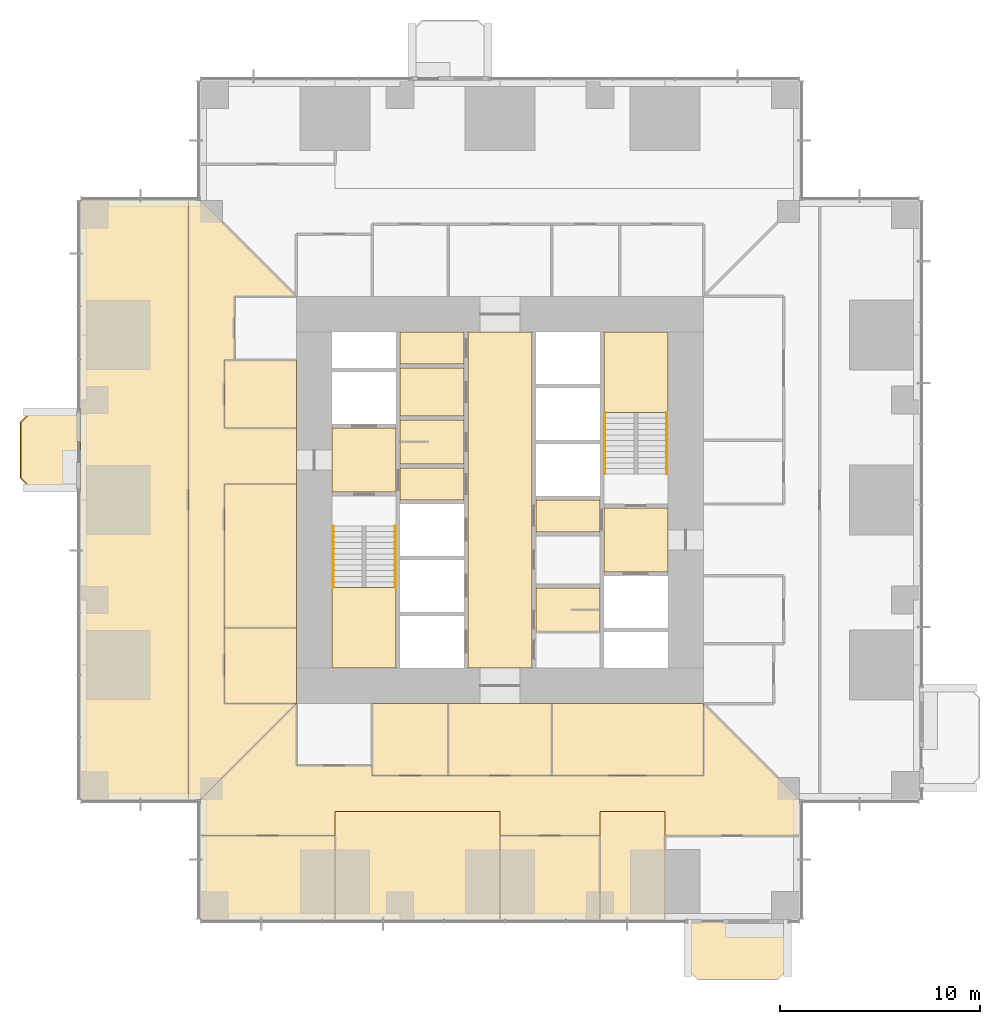
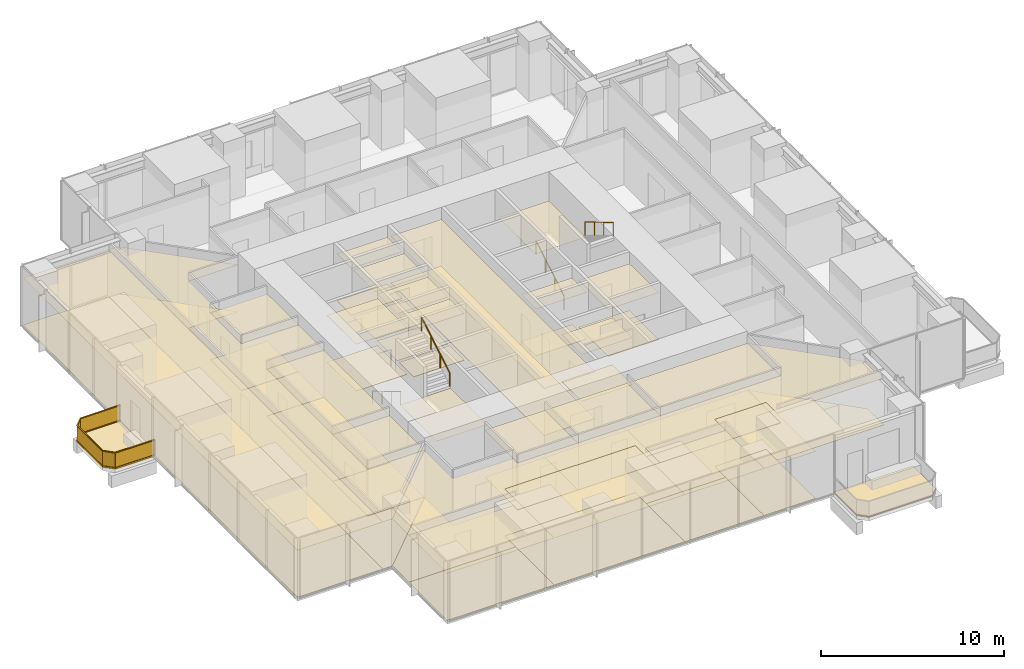
# One storey, part 13 of 15: 48 coverings, 5 railings.
"""IFC4 building model written with IfcOpenShell, lengths in metres."""

from ifc_helpers import new_model, si_unit, direction, frame, origin, origin_2d, place, context, subcontext, project, spatial, polyline, rectangle, circle, outline, extrude, material, layer, layer_set, type_object, element, save


model = new_model("IFC4")

# Units and contexts
model_context = context("Model", 3, precision=1e-05, world=origin(), true_north=direction((0.0, 1.0)))
body_context = subcontext(model_context, "Body", "Model", "MODEL_VIEW")
ifc_project = project(units=[si_unit("LENGTHUNIT", "METRE"), si_unit("AREAUNIT", "SQUARE_METRE"), si_unit("VOLUMEUNIT", "CUBIC_METRE"), si_unit("PLANEANGLEUNIT", "RADIAN"), si_unit("MASSUNIT", "GRAM", prefix="KILO")], contexts=[model_context])

# Site, building, storey
site_placement = place(None, origin())
site = spatial("IfcSite", under=ifc_project, at=site_placement, CompositionType="ELEMENT")
building_placement = place(site_placement, origin())
building = spatial("IfcBuilding", under=site, at=building_placement, Name="Svetlomir Tower", CompositionType="ELEMENT")
storey_placement = place(building_placement, frame((0.0, 0.0, 26.5)))
storey = spatial("IfcBuildingStorey", under=building, at=storey_placement, Name="L05", CompositionType="ELEMENT", Elevation=26.5)

# Railing
ifc_material_1 = material(Name="Bronze anodised aluminium and laminated glass", Category="aluminium")
railing_type_1 = type_object("IfcRailingType", Name="BALCONY GUARD GR1 1100", PredefinedType="GUARDRAIL", material=ifc_material_1)
railing_1_placement = place(storey_placement, frame((0.0, 25.39990234375, 0.0)))
element("IfcRailing", 1, at=railing_1_placement, inside=storey, type_object=railing_type_1, Name="Balcony guard W L05", PredefinedType="GUARDRAIL", context=body_context, shape_type="SweptSolid", body=[
    extrude(rectangle(XDim=0.06005859375, YDim=0.10009765625, at=origin_2d()), frame((0.0, 0.0, 0.050048828125), z_axis=(-1.0, 0.0, 0.0), x_axis=(0.0, -1.0, 0.0)), (0.0, 0.0, 1.0), 2.5),
    extrude(rectangle(XDim=0.021484375, YDim=0.960205078125, at=origin_2d()), frame((0.0, 0.0, 0.580078125), z_axis=(-1.0, 0.0, 0.0), x_axis=(0.0, -1.0, 0.0)), (0.0, 0.0, 1.0), 2.5),
    extrude(rectangle(XDim=0.06005859375, YDim=0.0400390625, at=origin_2d()), frame((0.0, 0.0, 1.080078125), z_axis=(-1.0, 0.0, 0.0), x_axis=(0.0, -1.0, 0.0)), (0.0, 0.0, 1.0), 2.5),
    extrude(rectangle(XDim=0.06005859375, YDim=0.10009765625, at=origin_2d()), frame((-2.5, 0.0, 0.050048828125), z_axis=(-0.707106781187, -0.707106781187, 0.0), x_axis=(0.707106781187, -0.707106781187, 0.0)), (0.0, 0.0, 1.0), 0.70703125),
    extrude(rectangle(XDim=0.021484375, YDim=0.960205078125, at=origin_2d()), frame((-2.5, 0.0, 0.580078125), z_axis=(-0.707106781187, -0.707106781187, 0.0), x_axis=(0.707106781187, -0.707106781187, 0.0)), (0.0, 0.0, 1.0), 0.70703125),
    extrude(rectangle(XDim=0.06005859375, YDim=0.0400390625, at=origin_2d()), frame((-2.5, 0.0, 1.080078125), z_axis=(-0.707106781187, -0.707106781187, 0.0), x_axis=(0.707106781187, -0.707106781187, 0.0)), (0.0, 0.0, 1.0), 0.70703125),
    extrude(rectangle(XDim=0.06005859375, YDim=0.10009765625, at=origin_2d()), frame((-3.0, -0.5, 0.050048828125), z_axis=(0.0, -1.0, 0.0), x_axis=(1.0, 0.0, 0.0)), (0.0, 0.0, 1.0), 2.7998046875),
    extrude(rectangle(XDim=0.021484375, YDim=0.960205078125, at=origin_2d()), frame((-3.0, -0.5, 0.580078125), z_axis=(0.0, -1.0, 0.0), x_axis=(1.0, 0.0, 0.0)), (0.0, 0.0, 1.0), 2.7998046875),
    extrude(rectangle(XDim=0.06005859375, YDim=0.0400390625, at=origin_2d()), frame((-3.0, -0.5, 1.080078125), z_axis=(0.0, -1.0, 0.0), x_axis=(1.0, 0.0, 0.0)), (0.0, 0.0, 1.0), 2.7998046875),
    extrude(rectangle(XDim=0.06005859375, YDim=0.10009765625, at=origin_2d()), frame((-3.0, -3.2998046875, 0.050048828125), z_axis=(0.707106781187, -0.707106781187, 0.0), x_axis=(0.707106781187, 0.707106781187, 0.0)), (0.0, 0.0, 1.0), 0.70703125),
    extrude(rectangle(XDim=0.021484375, YDim=0.960205078125, at=origin_2d()), frame((-3.0, -3.2998046875, 0.580078125), z_axis=(0.707106781187, -0.707106781187, 0.0), x_axis=(0.707106781187, 0.707106781187, 0.0)), (0.0, 0.0, 1.0), 0.70703125),
    extrude(rectangle(XDim=0.06005859375, YDim=0.0400390625, at=origin_2d()), frame((-3.0, -3.2998046875, 1.080078125), z_axis=(0.707106781187, -0.707106781187, 0.0), x_axis=(0.707106781187, 0.707106781187, 0.0)), (0.0, 0.0, 1.0), 0.70703125),
    extrude(rectangle(XDim=0.06005859375, YDim=0.10009765625, at=origin_2d()), frame((-2.5, -3.7998046875, 0.050048828125), z_axis=(1.0, 0.0, 0.0), x_axis=(0.0, 1.0, 0.0)), (0.0, 0.0, 1.0), 2.5),
    extrude(rectangle(XDim=0.021484375, YDim=0.960205078125, at=origin_2d()), frame((-2.5, -3.7998046875, 0.580078125), z_axis=(1.0, 0.0, 0.0), x_axis=(0.0, 1.0, 0.0)), (0.0, 0.0, 1.0), 2.5),
    extrude(rectangle(XDim=0.06005859375, YDim=0.0400390625, at=origin_2d()), frame((-2.5, -3.7998046875, 1.080078125), z_axis=(1.0, 0.0, 0.0), x_axis=(0.0, 1.0, 0.0)), (0.0, 0.0, 1.0), 2.5),
])

# Coverings
ifc_material_2 = material(Name="Granite paving slabs on pedestals", Category="masonry")
ifc_layer_1 = layer(ifc_material_2, 0.0400390625)
ifc_layer_set_1 = layer_set([ifc_layer_1], Name="Granite paving slabs on pedestals")
covering_type_1 = type_object("IfcCoveringType", Name="BALCONY PAVING 40", PredefinedType="USERDEFINED", material=ifc_layer_set_1)
covering_1_placement = place(storey_placement, origin())
element("IfcCovering", 2, at=covering_1_placement, inside=storey, type_object=covering_type_1, Name="Balcony paving S L05", ObjectType="BALCONY PAVING", PredefinedType="USERDEFINED", context=body_context, shape_type="SweptSolid", body=[
    extrude(outline(polyline([(30.39990234375, -2.5), (30.89990234375, -3.0), (34.89990234375, -3.0), (35.39990234375, -2.5), (35.39990234375, 0.0), (30.39990234375, 0.0), (30.39990234375, -2.5)])), origin(), (0.0, 0.0, 1.0), 0.0400390625),
])
covering_2_placement = place(storey_placement, origin())
element("IfcCovering", 3, at=covering_2_placement, inside=storey, type_object=covering_type_1, Name="Balcony paving W L05", ObjectType="BALCONY PAVING", PredefinedType="USERDEFINED", context=body_context, shape_type="SweptSolid", body=[
    extrude(outline(polyline([(-2.5, 21.60009765625), (0.0, 21.60009765625), (0.0, 25.39990234375), (-2.5, 25.39990234375), (-3.0, 24.89990234375), (-3.0, 22.10009765625), (-2.5, 21.60009765625)])), origin(), (0.0, 0.0, 1.0), 0.0400390625),
])
ifc_material_3 = material(Name="Carpet tile", Category="textile")
ifc_layer_2 = layer(ifc_material_3, 0.010009765625)
ifc_layer_set_2 = layer_set([ifc_layer_2], Name="Carpet tile")
covering_type_2 = type_object("IfcCoveringType", Name="CARPET TILE FLOOR 10", PredefinedType="FLOORING", material=ifc_layer_set_2)
covering_3_placement = place(storey_placement, origin())
element("IfcCovering", 4, at=covering_3_placement, inside=storey, type_object=covering_type_2, Name="Floor finish L05-15", PredefinedType="FLOORING", context=body_context, shape_type="SweptSolid", body=[
    extrude(outline(polyline([(14.60009765625, 7.199951171875), (18.39990234375, 7.199951171875), (18.39990234375, 10.800048828125), (14.60009765625, 10.800048828125), (14.60009765625, 7.199951171875)])), origin(), (0.0, 0.0, 1.0), 0.010009765625),
])
covering_4_placement = place(storey_placement, origin())
element("IfcCovering", 5, at=covering_4_placement, inside=storey, type_object=covering_type_2, Name="Floor finish L05-16", PredefinedType="FLOORING", context=body_context, shape_type="SweptSolid", body=[
    extrude(outline(polyline([(23.60009765625, 7.199951171875), (31.199951171875, 7.199951171875), (31.199951171875, 10.800048828125), (23.60009765625, 10.800048828125), (23.60009765625, 7.199951171875)])), origin(), (0.0, 0.0, 1.0), 0.010009765625),
])
covering_5_placement = place(storey_placement, origin())
element("IfcCovering", 6, at=covering_5_placement, inside=storey, type_object=covering_type_2, Name="Floor finish L05-17", PredefinedType="FLOORING", context=body_context, shape_type="SweptSolid", body=[
    extrude(outline(polyline([(6.0, 0.0), (12.75, 0.0), (12.75, 4.199951171875), (6.0, 4.199951171875), (6.0, 0.0)])), origin(), (0.0, 0.0, 1.0), 0.010009765625),
])
covering_6_placement = place(storey_placement, origin())
element("IfcCovering", 7, at=covering_6_placement, inside=storey, type_object=covering_type_2, Name="Floor finish L05-18", PredefinedType="FLOORING", context=body_context, shape_type="SweptSolid", body=[
    extrude(outline(polyline([(21.0, 0.0), (26.0, 0.0), (26.0, 4.199951171875), (21.0, 4.199951171875), (21.0, 0.0)])), origin(), (0.0, 0.0, 1.0), 0.010009765625),
])
covering_7_placement = place(storey_placement, origin())
element("IfcCovering", 8, at=covering_7_placement, inside=storey, type_object=covering_type_2, Name="Floor finish L05-29", PredefinedType="FLOORING", context=body_context, shape_type="SweptSolid", body=[
    extrude(outline(polyline([(7.199951171875, 10.800048828125), (10.800048828125, 10.800048828125), (10.800048828125, 14.60009765625), (7.199951171875, 14.60009765625), (7.199951171875, 10.800048828125)])), origin(), (0.0, 0.0, 1.0), 0.010009765625),
])
covering_8_placement = place(storey_placement, origin())
element("IfcCovering", 9, at=covering_8_placement, inside=storey, type_object=covering_type_2, Name="Floor finish L05-30", PredefinedType="FLOORING", context=body_context, shape_type="SweptSolid", body=[
    extrude(outline(polyline([(7.199951171875, 24.60009765625), (10.800048828125, 24.60009765625), (10.800048828125, 28.0), (7.199951171875, 28.0), (7.199951171875, 24.60009765625)])), origin(), (0.0, 0.0, 1.0), 0.010009765625),
])
covering_9_placement = place(storey_placement, origin())
element("IfcCovering", 10, at=covering_9_placement, inside=storey, type_object=covering_type_2, Name="Floor finish L05-32", PredefinedType="FLOORING", context=body_context, shape_type="SweptSolid", body=[
    extrude(outline(polyline([(6.0, 4.199951171875), (6.0, 6.0), (10.800048828125, 10.800048828125), (10.800048828125, 7.699951171875), (14.60009765625, 7.699951171875), (14.60009765625, 7.199951171875), (31.199951171875, 7.199951171875), (31.199951171875, 10.800048828125), (36.0, 6.0), (36.0, 4.199951171875), (29.25, 4.199951171875), (29.25, 5.39990234375), (26.0, 5.39990234375), (26.0, 4.199951171875), (21.0, 4.199951171875), (21.0, 5.39990234375), (12.75, 5.39990234375), (12.75, 4.199951171875), (6.0, 4.199951171875)])), origin(), (0.0, 0.0, 1.0), 0.010009765625),
])
covering_10_placement = place(storey_placement, origin())
element("IfcCovering", 11, at=covering_10_placement, inside=storey, type_object=covering_type_2, Name="Floor finish L05-35", PredefinedType="FLOORING", context=body_context, shape_type="SweptSolid", body=[
    extrude(outline(polyline([(5.39990234375, 6.0), (5.39990234375, 36.0), (6.0, 36.0), (10.800048828125, 31.199951171875), (7.699951171875, 31.199951171875), (7.699951171875, 28.0), (7.199951171875, 28.0), (7.199951171875, 24.60009765625), (10.800048828125, 24.60009765625), (10.800048828125, 21.800048828125), (7.199951171875, 21.800048828125), (7.199951171875, 10.800048828125), (10.800048828125, 10.800048828125), (6.0, 6.0), (5.39990234375, 6.0)])), origin(), (0.0, 0.0, 1.0), 0.010009765625),
])
covering_11_placement = place(storey_placement, origin())
element("IfcCovering", 12, at=covering_11_placement, inside=storey, type_object=covering_type_2, Name="Floor finish L05-36", PredefinedType="FLOORING", context=body_context, shape_type="SweptSolid", body=[
    extrude(outline(polyline([(12.75, 5.39990234375), (21.0, 5.39990234375), (21.0, 0.0), (12.75, 0.0), (12.75, 5.39990234375)])), origin(), (0.0, 0.0, 1.0), 0.010009765625),
])
covering_12_placement = place(storey_placement, origin())
element("IfcCovering", 13, at=covering_12_placement, inside=storey, type_object=covering_type_2, Name="Floor finish L05-37", PredefinedType="FLOORING", context=body_context, shape_type="SweptSolid", body=[
    extrude(outline(polyline([(26.0, 0.0), (26.0, 5.39990234375), (29.25, 5.39990234375), (29.25, 0.0), (26.0, 0.0)])), origin(), (0.0, 0.0, 1.0), 0.010009765625),
])
covering_13_placement = place(storey_placement, origin())
element("IfcCovering", 14, at=covering_13_placement, inside=storey, type_object=covering_type_2, Name="Floor finish L05-38", PredefinedType="FLOORING", context=body_context, shape_type="SweptSolid", body=[
    extrude(outline(polyline([(23.60009765625, 10.800048828125), (23.60009765625, 7.199951171875), (18.39990234375, 7.199951171875), (18.39990234375, 10.800048828125), (23.60009765625, 10.800048828125)])), origin(), (0.0, 0.0, 1.0), 0.010009765625),
])
covering_14_placement = place(storey_placement, origin())
element("IfcCovering", 15, at=covering_14_placement, inside=storey, type_object=covering_type_2, Name="Floor finish L05-42", PredefinedType="FLOORING", context=body_context, shape_type="SweptSolid", body=[
    extrude(outline(polyline([(0.0, 36.0), (5.39990234375, 36.0), (5.39990234375, 6.0), (0.0, 6.0), (0.0, 36.0)])), origin(), (0.0, 0.0, 1.0), 0.010009765625),
])
covering_15_placement = place(storey_placement, origin())
element("IfcCovering", 16, at=covering_15_placement, inside=storey, type_object=covering_type_2, Name="Floor finish L05-43", PredefinedType="FLOORING", context=body_context, shape_type="SweptSolid", body=[
    extrude(outline(polyline([(7.199951171875, 14.60009765625), (7.199951171875, 21.800048828125), (10.800048828125, 21.800048828125), (10.800048828125, 14.60009765625), (7.199951171875, 14.60009765625)])), origin(), (0.0, 0.0, 1.0), 0.010009765625),
])
ifc_material_4 = material(Name="Ceramic floor tile", Category="ceramic")
ifc_layer_3 = layer(ifc_material_4, 0.014892578125)
ifc_layer_set_3 = layer_set([ifc_layer_3], Name="Ceramic floor tile")
covering_type_3 = type_object("IfcCoveringType", Name="CERAMIC TILE FLOOR 15", PredefinedType="FLOORING", material=ifc_layer_set_3)
covering_16_placement = place(storey_placement, origin())
element("IfcCovering", 17, at=covering_16_placement, inside=storey, type_object=covering_type_3, Name="Floor finish L05-04", PredefinedType="FLOORING", context=body_context, shape_type="SweptSolid", body=[
    extrude(outline(polyline([(16.0, 22.800048828125), (19.199951171875, 22.800048828125), (19.199951171875, 25.0), (16.0, 25.0), (16.0, 22.800048828125)])), origin(), (0.0, 0.0, 1.0), 0.014892578125),
])
covering_17_placement = place(storey_placement, origin())
element("IfcCovering", 18, at=covering_17_placement, inside=storey, type_object=covering_type_3, Name="Floor finish L05-05", PredefinedType="FLOORING", context=body_context, shape_type="SweptSolid", body=[
    extrude(outline(polyline([(16.0, 25.199951171875), (19.199951171875, 25.199951171875), (19.199951171875, 27.60009765625), (16.0, 27.60009765625), (16.0, 25.199951171875)])), origin(), (0.0, 0.0, 1.0), 0.014892578125),
])
covering_18_placement = place(storey_placement, origin())
element("IfcCovering", 19, at=covering_18_placement, inside=storey, type_object=covering_type_3, Name="Floor finish L05-09", PredefinedType="FLOORING", context=body_context, shape_type="SweptSolid", body=[
    extrude(outline(polyline([(22.800048828125, 14.39990234375), (26.0, 14.39990234375), (26.0, 16.60009765625), (22.800048828125, 16.60009765625), (22.800048828125, 14.39990234375)])), origin(), (0.0, 0.0, 1.0), 0.014892578125),
])

# Railings
ifc_material_5 = material(Name="Stainless steel", Category="steel")
railing_type_2 = type_object("IfcRailingType", Name="HANDRAIL HR1 900", PredefinedType="HANDRAIL", material=ifc_material_5)
railing_2_placement = place(storey_placement, frame((12.64990234375, 19.699951171875, 0.166748046875)))
element("IfcRailing", 20, at=railing_2_placement, inside=storey, type_object=railing_type_2, Name="Handrail S1 flight 1 L05", PredefinedType="HANDRAIL", context=body_context, shape_type="SweptSolid", body=[
    extrude(circle(Radius=0.02392578125, at=origin_2d()), frame((0.0, 0.0, 0.8759765625), z_axis=(0.0, -0.859290745958, 0.51148745235), x_axis=(1.0, 0.0, 0.0)), (0.0, 0.0, 1.0), 3.584228515625),
    extrude(circle(Radius=0.02099609375, at=origin_2d()), origin(), (0.0, 0.0, 1.0), 0.851806640625),
    extrude(circle(Radius=0.02099609375, at=origin_2d()), frame((0.0, -1.026611328125, 0.611083984375)), (0.0, 0.0, 1.0), 0.851806640625),
    extrude(circle(Radius=0.02099609375, at=origin_2d()), frame((0.0, -2.05322265625, 1.22216796875)), (0.0, 0.0, 1.0), 0.851806640625),
    extrude(circle(Radius=0.02099609375, at=origin_2d()), frame((0.0, -3.079833984375, 1.833251953125)), (0.0, 0.0, 1.0), 0.851806640625),
])
for number, where, name in (
    (21, (15.75, 16.6201171875, 2.166748046875), "Handrail S1 flight 2 L05"),
    (22, (26.25, 22.300048828125, 0.166748046875), "Handrail S2 flight 1 L05"),
):
    element("IfcRailing", number, at=place(storey_placement, frame(where)), inside=storey, type_object=railing_type_2, Name=name, PredefinedType="HANDRAIL", context=body_context, shape_type="SweptSolid", body=[
        extrude(circle(Radius=0.02392578125, at=origin_2d()), frame((0.0, 0.0, 0.8759765625), z_axis=(0.0, 0.859290745958, 0.51148745235), x_axis=(-1.0, 0.0, 0.0)), (0.0, 0.0, 1.0), 3.584228515625),
        extrude(circle(Radius=0.02099609375, at=origin_2d()), origin(), (0.0, 0.0, 1.0), 0.851806640625),
        extrude(circle(Radius=0.02099609375, at=origin_2d()), frame((0.0, 1.026611328125, 0.611083984375)), (0.0, 0.0, 1.0), 0.851806640625),
        extrude(circle(Radius=0.02099609375, at=origin_2d()), frame((0.0, 2.05322265625, 1.22216796875)), (0.0, 0.0, 1.0), 0.851806640625),
        extrude(circle(Radius=0.02099609375, at=origin_2d()), frame((0.0, 3.079833984375, 1.833251953125)), (0.0, 0.0, 1.0), 0.851806640625),
    ])
railing_3_placement = place(storey_placement, frame((29.35009765625, 25.3798828125, 2.166748046875)))
element("IfcRailing", 23, at=railing_3_placement, inside=storey, type_object=railing_type_2, Name="Handrail S2 flight 2 L05", PredefinedType="HANDRAIL", context=body_context, shape_type="SweptSolid", body=[
    extrude(circle(Radius=0.02392578125, at=origin_2d()), frame((0.0, 0.0, 0.8759765625), z_axis=(0.0, -0.859290745958, 0.51148745235), x_axis=(1.0, 0.0, 0.0)), (0.0, 0.0, 1.0), 3.584228515625),
    extrude(circle(Radius=0.02099609375, at=origin_2d()), origin(), (0.0, 0.0, 1.0), 0.851806640625),
    extrude(circle(Radius=0.02099609375, at=origin_2d()), frame((0.0, -1.026611328125, 0.611083984375)), (0.0, 0.0, 1.0), 0.851806640625),
    extrude(circle(Radius=0.02099609375, at=origin_2d()), frame((0.0, -2.05322265625, 1.22216796875)), (0.0, 0.0, 1.0), 0.851806640625),
    extrude(circle(Radius=0.02099609375, at=origin_2d()), frame((0.0, -3.079833984375, 1.833251953125)), (0.0, 0.0, 1.0), 0.851806640625),
])

# Coverings
ifc_material_6 = material(Name="Moisture resistant plasterboard ceiling", Category="gypsum")
ifc_layer_4 = layer(ifc_material_6, 0.012451171875)
ifc_layer_set_4 = layer_set([ifc_layer_4], Name="Moisture resistant plasterboard ceiling")
covering_type_4 = type_object("IfcCoveringType", Name="MOISTURE RESISTANT CEILING 12.5", PredefinedType="CEILING", material=ifc_layer_set_4)
covering_19_placement = place(storey_placement, frame((0.0, 0.0, 3.137451171875)))
element("IfcCovering", 24, at=covering_19_placement, inside=storey, type_object=covering_type_4, Name="Ceiling L05-04", PredefinedType="CEILING", context=body_context, shape_type="SweptSolid", body=[
    extrude(outline(polyline([(16.0, 22.800048828125), (19.199951171875, 22.800048828125), (19.199951171875, 25.0), (16.0, 25.0), (16.0, 22.800048828125)])), origin(), (0.0, 0.0, 1.0), 0.012451171875),
])
covering_20_placement = place(storey_placement, frame((0.0, 0.0, 3.137451171875)))
element("IfcCovering", 25, at=covering_20_placement, inside=storey, type_object=covering_type_4, Name="Ceiling L05-05", PredefinedType="CEILING", context=body_context, shape_type="SweptSolid", body=[
    extrude(outline(polyline([(16.0, 25.199951171875), (19.199951171875, 25.199951171875), (19.199951171875, 27.60009765625), (16.0, 27.60009765625), (16.0, 25.199951171875)])), origin(), (0.0, 0.0, 1.0), 0.012451171875),
])
covering_21_placement = place(storey_placement, frame((0.0, 0.0, 3.137451171875)))
element("IfcCovering", 26, at=covering_21_placement, inside=storey, type_object=covering_type_4, Name="Ceiling L05-09", PredefinedType="CEILING", context=body_context, shape_type="SweptSolid", body=[
    extrude(outline(polyline([(22.800048828125, 14.39990234375), (26.0, 14.39990234375), (26.0, 16.60009765625), (22.800048828125, 16.60009765625), (22.800048828125, 14.39990234375)])), origin(), (0.0, 0.0, 1.0), 0.012451171875),
])
ifc_material_7 = material(Name="Gypsum plasterboard ceiling", Category="gypsum")
ifc_layer_5 = layer(ifc_material_7, 0.014892578125)
ifc_layer_set_5 = layer_set([ifc_layer_5], Name="Gypsum plasterboard ceiling")
covering_type_5 = type_object("IfcCoveringType", Name="PLASTERBOARD CEILING 15", PredefinedType="CEILING", material=ifc_layer_set_5)
covering_22_placement = place(storey_placement, frame((0.0, 0.0, 3.135009765625)))
element("IfcCovering", 27, at=covering_22_placement, inside=storey, type_object=covering_type_5, Name="Ceiling L05-02", PredefinedType="CEILING", context=body_context, shape_type="SweptSolid", body=[
    extrude(outline(polyline([(12.60009765625, 21.39990234375), (15.800048828125, 21.39990234375), (15.800048828125, 24.60009765625), (12.60009765625, 24.60009765625), (12.60009765625, 21.39990234375)])), origin(), (0.0, 0.0, 1.0), 0.014892578125),
])
covering_23_placement = place(storey_placement, frame((0.0, 0.0, 3.135009765625)))
element("IfcCovering", 28, at=covering_23_placement, inside=storey, type_object=covering_type_5, Name="Ceiling L05-03", PredefinedType="CEILING", context=body_context, shape_type="SweptSolid", body=[
    extrude(outline(polyline([(16.0, 21.0), (19.199951171875, 21.0), (19.199951171875, 22.60009765625), (16.0, 22.60009765625), (16.0, 21.0)])), origin(), (0.0, 0.0, 1.0), 0.014892578125),
])
covering_24_placement = place(storey_placement, frame((0.0, 0.0, 3.135009765625)))
element("IfcCovering", 29, at=covering_24_placement, inside=storey, type_object=covering_type_5, Name="Ceiling L05-06", PredefinedType="CEILING", context=body_context, shape_type="SweptSolid", body=[
    extrude(outline(polyline([(16.0, 27.800048828125), (19.199951171875, 27.800048828125), (19.199951171875, 29.39990234375), (16.0, 29.39990234375), (16.0, 27.800048828125)])), origin(), (0.0, 0.0, 1.0), 0.014892578125),
])
covering_25_placement = place(storey_placement, frame((0.0, 0.0, 3.135009765625)))
element("IfcCovering", 30, at=covering_25_placement, inside=storey, type_object=covering_type_5, Name="Ceiling L05-07", PredefinedType="CEILING", context=body_context, shape_type="SweptSolid", body=[
    extrude(outline(polyline([(19.39990234375, 12.60009765625), (22.60009765625, 12.60009765625), (22.60009765625, 29.39990234375), (19.39990234375, 29.39990234375), (19.39990234375, 12.60009765625)])), origin(), (0.0, 0.0, 1.0), 0.014892578125),
])
covering_26_placement = place(storey_placement, frame((0.0, 0.0, 3.135009765625)))
element("IfcCovering", 31, at=covering_26_placement, inside=storey, type_object=covering_type_5, Name="Ceiling L05-11", PredefinedType="CEILING", context=body_context, shape_type="SweptSolid", body=[
    extrude(outline(polyline([(22.800048828125, 19.39990234375), (26.0, 19.39990234375), (26.0, 21.0), (22.800048828125, 21.0), (22.800048828125, 19.39990234375)])), origin(), (0.0, 0.0, 1.0), 0.014892578125),
])
covering_27_placement = place(storey_placement, frame((0.0, 0.0, 3.135009765625)))
element("IfcCovering", 32, at=covering_27_placement, inside=storey, type_object=covering_type_5, Name="Ceiling L05-12", PredefinedType="CEILING", context=body_context, shape_type="SweptSolid", body=[
    extrude(outline(polyline([(26.199951171875, 17.39990234375), (29.39990234375, 17.39990234375), (29.39990234375, 20.60009765625), (26.199951171875, 20.60009765625), (26.199951171875, 17.39990234375)])), origin(), (0.0, 0.0, 1.0), 0.014892578125),
])
ifc_material_8 = material(Name="Studded rubber floor finish", Category="rubber")
ifc_layer_6 = layer(ifc_material_8, 0.006103515625)
ifc_layer_set_6 = layer_set([ifc_layer_6], Name="Studded rubber floor finish")
covering_type_6 = type_object("IfcCoveringType", Name="RUBBER LANDING FINISH 6", PredefinedType="FLOORING", material=ifc_layer_set_6)
covering_28_placement = place(storey_placement, frame((0.0, 0.0, 2.0)))
element("IfcCovering", 33, at=covering_28_placement, inside=storey, type_object=covering_type_6, Name="Stair S1 landing finish L05", PredefinedType="FLOORING", context=body_context, shape_type="SweptSolid", body=[
    extrude(outline(polyline([(12.60009765625, 12.60009765625), (15.800048828125, 12.60009765625), (15.800048828125, 16.6201171875), (12.60009765625, 16.6201171875), (12.60009765625, 12.60009765625)])), origin(), (0.0, 0.0, 1.0), 0.006103515625),
])
covering_29_placement = place(storey_placement, frame((0.0, 0.0, 2.0)))
element("IfcCovering", 34, at=covering_29_placement, inside=storey, type_object=covering_type_6, Name="Stair S2 landing finish L05", PredefinedType="FLOORING", context=body_context, shape_type="SweptSolid", body=[
    extrude(outline(polyline([(26.199951171875, 25.3798828125), (29.39990234375, 25.3798828125), (29.39990234375, 29.39990234375), (26.199951171875, 29.39990234375), (26.199951171875, 25.3798828125)])), origin(), (0.0, 0.0, 1.0), 0.006103515625),
])
ifc_material_9 = material(Name="Mineral fibre ceiling tile", Category="mineral")
ifc_layer_7 = layer(ifc_material_9, 0.02001953125)
ifc_layer_set_7 = layer_set([ifc_layer_7], Name="Mineral fibre ceiling tile")
covering_type_7 = type_object("IfcCoveringType", Name="SUSPENDED CEILING 20", PredefinedType="CEILING", material=ifc_layer_set_7)
covering_30_placement = place(storey_placement, frame((0.0, 0.0, 3.1298828125)))
element("IfcCovering", 35, at=covering_30_placement, inside=storey, type_object=covering_type_7, Name="Ceiling L05-15", PredefinedType="CEILING", context=body_context, shape_type="SweptSolid", body=[
    extrude(outline(polyline([(14.60009765625, 7.199951171875), (18.39990234375, 7.199951171875), (18.39990234375, 10.800048828125), (14.60009765625, 10.800048828125), (14.60009765625, 7.199951171875)])), origin(), (0.0, 0.0, 1.0), 0.02001953125),
])
covering_31_placement = place(storey_placement, frame((0.0, 0.0, 3.1298828125)))
element("IfcCovering", 36, at=covering_31_placement, inside=storey, type_object=covering_type_7, Name="Ceiling L05-16", PredefinedType="CEILING", context=body_context, shape_type="SweptSolid", body=[
    extrude(outline(polyline([(23.60009765625, 7.199951171875), (31.199951171875, 7.199951171875), (31.199951171875, 10.800048828125), (23.60009765625, 10.800048828125), (23.60009765625, 7.199951171875)])), origin(), (0.0, 0.0, 1.0), 0.02001953125),
])
covering_32_placement = place(storey_placement, frame((0.0, 0.0, 3.1298828125)))
element("IfcCovering", 37, at=covering_32_placement, inside=storey, type_object=covering_type_7, Name="Ceiling L05-17", PredefinedType="CEILING", context=body_context, shape_type="SweptSolid", body=[
    extrude(outline(polyline([(6.0, 0.0), (12.75, 0.0), (12.75, 4.199951171875), (6.0, 4.199951171875), (6.0, 0.0)])), origin(), (0.0, 0.0, 1.0), 0.02001953125),
])
covering_33_placement = place(storey_placement, frame((0.0, 0.0, 3.1298828125)))
element("IfcCovering", 38, at=covering_33_placement, inside=storey, type_object=covering_type_7, Name="Ceiling L05-18", PredefinedType="CEILING", context=body_context, shape_type="SweptSolid", body=[
    extrude(outline(polyline([(21.0, 0.0), (26.0, 0.0), (26.0, 4.199951171875), (21.0, 4.199951171875), (21.0, 0.0)])), origin(), (0.0, 0.0, 1.0), 0.02001953125),
])
covering_34_placement = place(storey_placement, frame((0.0, 0.0, 3.1298828125)))
element("IfcCovering", 39, at=covering_34_placement, inside=storey, type_object=covering_type_7, Name="Ceiling L05-29", PredefinedType="CEILING", context=body_context, shape_type="SweptSolid", body=[
    extrude(outline(polyline([(7.199951171875, 10.800048828125), (10.800048828125, 10.800048828125), (10.800048828125, 14.60009765625), (7.199951171875, 14.60009765625), (7.199951171875, 10.800048828125)])), origin(), (0.0, 0.0, 1.0), 0.02001953125),
])
covering_35_placement = place(storey_placement, frame((0.0, 0.0, 3.1298828125)))
element("IfcCovering", 40, at=covering_35_placement, inside=storey, type_object=covering_type_7, Name="Ceiling L05-30", PredefinedType="CEILING", context=body_context, shape_type="SweptSolid", body=[
    extrude(outline(polyline([(7.199951171875, 24.60009765625), (10.800048828125, 24.60009765625), (10.800048828125, 28.0), (7.199951171875, 28.0), (7.199951171875, 24.60009765625)])), origin(), (0.0, 0.0, 1.0), 0.02001953125),
])
covering_36_placement = place(storey_placement, frame((0.0, 0.0, 3.1298828125)))
element("IfcCovering", 41, at=covering_36_placement, inside=storey, type_object=covering_type_7, Name="Ceiling L05-32", PredefinedType="CEILING", context=body_context, shape_type="SweptSolid", body=[
    extrude(outline(polyline([(6.0, 4.199951171875), (6.0, 6.0), (10.800048828125, 10.800048828125), (10.800048828125, 7.699951171875), (14.60009765625, 7.699951171875), (14.60009765625, 7.199951171875), (31.199951171875, 7.199951171875), (31.199951171875, 10.800048828125), (36.0, 6.0), (36.0, 4.199951171875), (29.25, 4.199951171875), (29.25, 5.39990234375), (26.0, 5.39990234375), (26.0, 4.199951171875), (21.0, 4.199951171875), (21.0, 5.39990234375), (12.75, 5.39990234375), (12.75, 4.199951171875), (6.0, 4.199951171875)])), origin(), (0.0, 0.0, 1.0), 0.02001953125),
])
covering_37_placement = place(storey_placement, frame((0.0, 0.0, 3.1298828125)))
element("IfcCovering", 42, at=covering_37_placement, inside=storey, type_object=covering_type_7, Name="Ceiling L05-35", PredefinedType="CEILING", context=body_context, shape_type="SweptSolid", body=[
    extrude(outline(polyline([(5.39990234375, 6.0), (5.39990234375, 36.0), (6.0, 36.0), (10.800048828125, 31.199951171875), (7.699951171875, 31.199951171875), (7.699951171875, 28.0), (7.199951171875, 28.0), (7.199951171875, 24.60009765625), (10.800048828125, 24.60009765625), (10.800048828125, 21.800048828125), (7.199951171875, 21.800048828125), (7.199951171875, 10.800048828125), (10.800048828125, 10.800048828125), (6.0, 6.0), (5.39990234375, 6.0)])), origin(), (0.0, 0.0, 1.0), 0.02001953125),
])
covering_38_placement = place(storey_placement, frame((0.0, 0.0, 3.1298828125)))
element("IfcCovering", 43, at=covering_38_placement, inside=storey, type_object=covering_type_7, Name="Ceiling L05-36", PredefinedType="CEILING", context=body_context, shape_type="SweptSolid", body=[
    extrude(outline(polyline([(12.75, 5.39990234375), (21.0, 5.39990234375), (21.0, 0.0), (12.75, 0.0), (12.75, 5.39990234375)])), origin(), (0.0, 0.0, 1.0), 0.02001953125),
])
covering_39_placement = place(storey_placement, frame((0.0, 0.0, 3.1298828125)))
element("IfcCovering", 44, at=covering_39_placement, inside=storey, type_object=covering_type_7, Name="Ceiling L05-37", PredefinedType="CEILING", context=body_context, shape_type="SweptSolid", body=[
    extrude(outline(polyline([(26.0, 0.0), (26.0, 5.39990234375), (29.25, 5.39990234375), (29.25, 0.0), (26.0, 0.0)])), origin(), (0.0, 0.0, 1.0), 0.02001953125),
])
covering_40_placement = place(storey_placement, frame((0.0, 0.0, 3.1298828125)))
element("IfcCovering", 45, at=covering_40_placement, inside=storey, type_object=covering_type_7, Name="Ceiling L05-38", PredefinedType="CEILING", context=body_context, shape_type="SweptSolid", body=[
    extrude(outline(polyline([(23.60009765625, 10.800048828125), (23.60009765625, 7.199951171875), (18.39990234375, 7.199951171875), (18.39990234375, 10.800048828125), (23.60009765625, 10.800048828125)])), origin(), (0.0, 0.0, 1.0), 0.02001953125),
])
covering_41_placement = place(storey_placement, frame((0.0, 0.0, 3.1298828125)))
element("IfcCovering", 46, at=covering_41_placement, inside=storey, type_object=covering_type_7, Name="Ceiling L05-42", PredefinedType="CEILING", context=body_context, shape_type="SweptSolid", body=[
    extrude(outline(polyline([(0.0, 36.0), (5.39990234375, 36.0), (5.39990234375, 6.0), (0.0, 6.0), (0.0, 36.0)])), origin(), (0.0, 0.0, 1.0), 0.02001953125),
])
covering_42_placement = place(storey_placement, frame((0.0, 0.0, 3.1298828125)))
element("IfcCovering", 47, at=covering_42_placement, inside=storey, type_object=covering_type_7, Name="Ceiling L05-43", PredefinedType="CEILING", context=body_context, shape_type="SweptSolid", body=[
    extrude(outline(polyline([(7.199951171875, 14.60009765625), (7.199951171875, 21.800048828125), (10.800048828125, 21.800048828125), (10.800048828125, 14.60009765625), (7.199951171875, 14.60009765625)])), origin(), (0.0, 0.0, 1.0), 0.02001953125),
])
ifc_material_10 = material(Name="Bronze-aggregate terrazzo", Category="stone")
ifc_layer_8 = layer(ifc_material_10, 0.030029296875)
ifc_layer_set_8 = layer_set([ifc_layer_8], Name="Bronze-aggregate terrazzo")
covering_type_8 = type_object("IfcCoveringType", Name="TERRAZZO FLOOR 30", PredefinedType="FLOORING", material=ifc_layer_set_8)
covering_43_placement = place(storey_placement, origin())
element("IfcCovering", 48, at=covering_43_placement, inside=storey, type_object=covering_type_8, Name="Floor finish L05-02", PredefinedType="FLOORING", context=body_context, shape_type="SweptSolid", body=[
    extrude(outline(polyline([(12.60009765625, 21.39990234375), (15.800048828125, 21.39990234375), (15.800048828125, 24.60009765625), (12.60009765625, 24.60009765625), (12.60009765625, 21.39990234375)])), origin(), (0.0, 0.0, 1.0), 0.030029296875),
])
covering_44_placement = place(storey_placement, origin())
element("IfcCovering", 49, at=covering_44_placement, inside=storey, type_object=covering_type_8, Name="Floor finish L05-03", PredefinedType="FLOORING", context=body_context, shape_type="SweptSolid", body=[
    extrude(outline(polyline([(16.0, 21.0), (19.199951171875, 21.0), (19.199951171875, 22.60009765625), (16.0, 22.60009765625), (16.0, 21.0)])), origin(), (0.0, 0.0, 1.0), 0.030029296875),
])
covering_45_placement = place(storey_placement, origin())
element("IfcCovering", 50, at=covering_45_placement, inside=storey, type_object=covering_type_8, Name="Floor finish L05-06", PredefinedType="FLOORING", context=body_context, shape_type="SweptSolid", body=[
    extrude(outline(polyline([(16.0, 27.800048828125), (19.199951171875, 27.800048828125), (19.199951171875, 29.39990234375), (16.0, 29.39990234375), (16.0, 27.800048828125)])), origin(), (0.0, 0.0, 1.0), 0.030029296875),
])
covering_46_placement = place(storey_placement, origin())
element("IfcCovering", 51, at=covering_46_placement, inside=storey, type_object=covering_type_8, Name="Floor finish L05-07", PredefinedType="FLOORING", context=body_context, shape_type="SweptSolid", body=[
    extrude(outline(polyline([(19.39990234375, 12.60009765625), (22.60009765625, 12.60009765625), (22.60009765625, 29.39990234375), (19.39990234375, 29.39990234375), (19.39990234375, 12.60009765625)])), origin(), (0.0, 0.0, 1.0), 0.030029296875),
])
covering_47_placement = place(storey_placement, origin())
element("IfcCovering", 52, at=covering_47_placement, inside=storey, type_object=covering_type_8, Name="Floor finish L05-11", PredefinedType="FLOORING", context=body_context, shape_type="SweptSolid", body=[
    extrude(outline(polyline([(22.800048828125, 19.39990234375), (26.0, 19.39990234375), (26.0, 21.0), (22.800048828125, 21.0), (22.800048828125, 19.39990234375)])), origin(), (0.0, 0.0, 1.0), 0.030029296875),
])
covering_48_placement = place(storey_placement, origin())
element("IfcCovering", 53, at=covering_48_placement, inside=storey, type_object=covering_type_8, Name="Floor finish L05-12", PredefinedType="FLOORING", context=body_context, shape_type="SweptSolid", body=[
    extrude(outline(polyline([(26.199951171875, 17.39990234375), (29.39990234375, 17.39990234375), (29.39990234375, 20.60009765625), (26.199951171875, 20.60009765625), (26.199951171875, 17.39990234375)])), origin(), (0.0, 0.0, 1.0), 0.030029296875),
])

save(model, "model.ifc")
